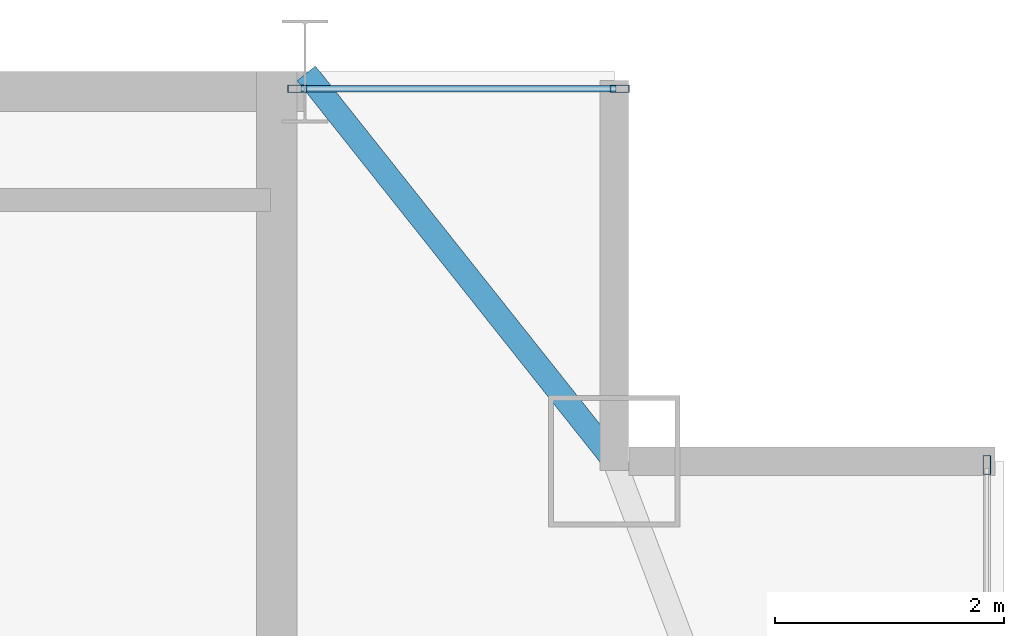
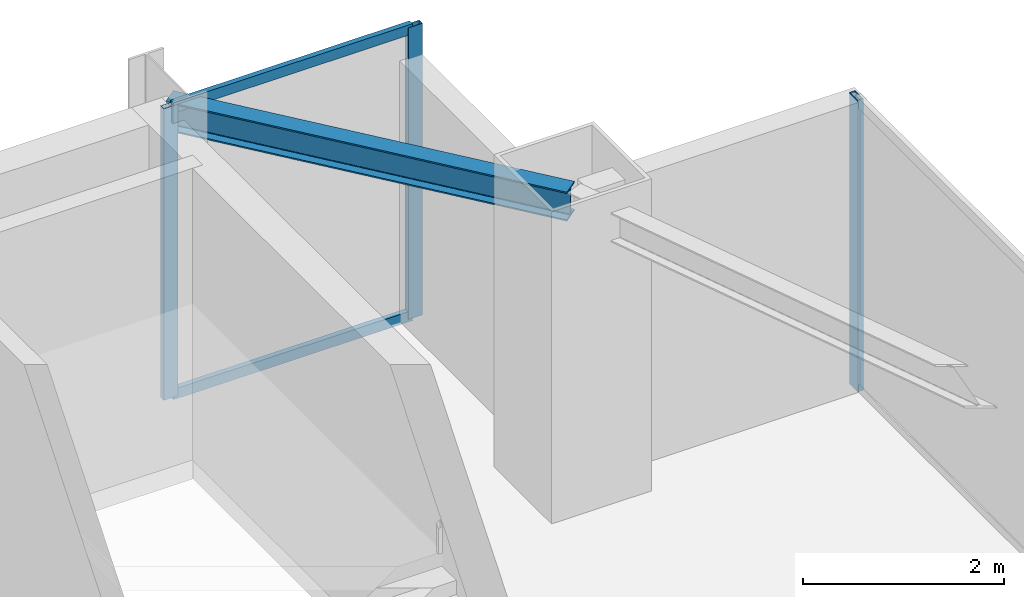
# One storey, part 22 of 30: 5 members, 1 beam, 2 elements without a shape of their own.
"""IFC4 building model written with IfcOpenShell, lengths in metres."""

import ifcopenshell
import ifcopenshell.guid

model = None  # the IFC model being written
_history = None  # IfcOwnerHistory: only IFC2X3 demands one
_inside = {}  # id of a spatial element -> (the spatial element, [elements in it])
_under = {}  # id of a project, library or spatial element -> (it, [spatial elements below it])
_declared = {}  # id of a project -> (the project, [libraries it declares])
_typed = {}  # id of a type object -> (the type object, [elements of that type])
_made_of = {}  # id of a material, layer set ... -> (it, [elements and type objects made of it])


def new_model(schema):
    """Start an empty IFC model of exactly this schema.

    Asked for "IFC4X3", IfcOpenShell would pick the latest addendum, in which some entities
    have other attributes; the version numbers below select the first issue.
    IFC2X3 requires an IfcOwnerHistory on every rooted entity: one is made here for all.
    """
    global model, _history
    if schema == "IFC4X3":
        model = ifcopenshell.file(schema_version=(4, 3, 0, 0))
    else:
        model = ifcopenshell.file(schema=schema)
    _inside.clear()
    _under.clear()
    _declared.clear()
    _typed.clear()
    _made_of.clear()
    _history = None
    if model.schema == "IFC2X3":
        org = make("IfcOrganization", Name="unknown")
        user = make(
            "IfcPersonAndOrganization",
            ThePerson=make("IfcPerson", FamilyName="unknown"),
            TheOrganization=org,
        )
        app = make(
            "IfcApplication",
            ApplicationDeveloper=org,
            Version="unknown",
            ApplicationFullName="unknown",
            ApplicationIdentifier="unknown",
        )
        _history = make(
            "IfcOwnerHistory",
            OwningUser=user,
            OwningApplication=app,
            ChangeAction="ADDED",
            CreationDate=0,
        )
    return model


def make(cls, **values):
    """One entity of the class cls with the attributes given. An attribute that is None is left unset."""
    return model.create_entity(
        cls, **{name: value for name, value in values.items() if value is not None}
    )


def rooted(cls, **values):
    """An entity with a GlobalId (a new one), such as an element, a storey or a relation."""
    return make(cls, GlobalId=ifcopenshell.guid.new(), OwnerHistory=_history, **values)


def si_unit(unit_type, name, prefix=None):
    """IfcSIUnit, for example si_unit("LENGTHUNIT", "METRE", prefix="MILLI")."""
    return make("IfcSIUnit", UnitType=unit_type, Prefix=prefix, Name=name)


def assignment(units):
    """IfcUnitAssignment: the units of a project."""
    return None if units is None else make("IfcUnitAssignment", Units=units)


def point(xyz):
    """IfcCartesianPoint."""
    return None if xyz is None else make("IfcCartesianPoint", Coordinates=xyz)


def direction(xyz):
    """IfcDirection."""
    return None if xyz is None else make("IfcDirection", DirectionRatios=xyz)


def frame(location, z_axis=None, x_axis=None):
    """IfcAxis2Placement3D, a coordinate frame: its origin and axes. An axis left out is left unset."""
    return make(
        "IfcAxis2Placement3D",
        Location=point(location),
        Axis=direction(z_axis),
        RefDirection=direction(x_axis),
    )


def frame_2d(location, x_axis=None):
    """IfcAxis2Placement2D, a coordinate frame in the plane: its origin and x axis."""
    return make(
        "IfcAxis2Placement2D", Location=point(location), RefDirection=direction(x_axis)
    )


def origin():
    """The frame at (0, 0, 0) with its axes left unset."""
    return frame((0.0, 0.0, 0.0))


def origin_2d():
    """The frame at (0, 0) in the plane with its x axis left unset."""
    return frame_2d((0.0, 0.0))


def place(relative_to, where):
    """IfcLocalPlacement: puts the frame where relative to a parent placement (None: the world)."""
    return make(
        "IfcLocalPlacement", PlacementRelTo=relative_to, RelativePlacement=where
    )


def context(
    kind, dimensions, precision=None, world=None, true_north=None, identifier=None
):
    """IfcGeometricRepresentationContext, for example the 3D "Model" context."""
    return make(
        "IfcGeometricRepresentationContext",
        ContextIdentifier=identifier,
        ContextType=kind,
        CoordinateSpaceDimension=dimensions,
        Precision=precision,
        WorldCoordinateSystem=world,
        TrueNorth=true_north,
    )


def subcontext(parent, identifier, kind, view, scale=None):
    """IfcGeometricRepresentationSubContext, for example "Body" below "Model"."""
    return make(
        "IfcGeometricRepresentationSubContext",
        ContextIdentifier=identifier,
        ContextType=kind,
        ParentContext=parent,
        TargetScale=scale,
        TargetView=view,
    )


def project(units=None, contexts=None):
    """IfcProject with its units and contexts."""
    return rooted(
        "IfcProject",
        Name="project",
        RepresentationContexts=contexts,
        UnitsInContext=assignment(units),
    )


def spatial(cls, under=None, at=None, **own):
    """A site, building, storey or space (cls), placed at a placement, below another one or the project."""
    s = rooted(cls, ObjectPlacement=at, **own)
    if under is not None:
        _under.setdefault(under.id(), (under, []))[1].append(s)
    return s


def profile(cls, at=None, kind="AREA", **sizes):
    """A parametric profile (cls). Its sizes go by their IFC names, for example OverallWidth=200.0."""
    return make(cls, ProfileType=kind, Position=at, **sizes)


def hollow_rectangle(**sizes):
    """IfcRectangleHollowProfileDef."""
    return profile("IfcRectangleHollowProfileDef", **sizes)


def i_section(**sizes):
    """IfcIShapeProfileDef."""
    return profile("IfcIShapeProfileDef", **sizes)


def extrude(swept, where, along, depth):
    """IfcExtrudedAreaSolid: the profile swept, set in the frame where, extruded along a direction by depth."""
    return make(
        "IfcExtrudedAreaSolid",
        SweptArea=swept,
        Position=where,
        ExtrudedDirection=direction(along),
        Depth=depth,
    )


def shape(context_of_items, identifier, shape_type, items):
    """IfcShapeRepresentation: the items that make up one representation, for example the "Body"."""
    return make(
        "IfcShapeRepresentation",
        ContextOfItems=context_of_items,
        RepresentationIdentifier=identifier,
        RepresentationType=shape_type,
        Items=items,
    )


def source(mapping_origin, context_of_items, identifier, shape_type, items):
    """IfcRepresentationMap: a shape defined once, which mapped items show again and again."""
    return make(
        "IfcRepresentationMap",
        MappingOrigin=mapping_origin,
        MappedRepresentation=shape(context_of_items, identifier, shape_type, items),
    )


def transform(
    local_origin,
    x_axis=None,
    y_axis=None,
    z_axis=None,
    scale=None,
    scale2=None,
    scale3=None,
    uniform=True,
):
    """IfcCartesianTransformationOperator3D, or its non-uniform kind. x_axis, y_axis, z_axis: its Axis1, 2, 3."""
    if uniform:
        return make(
            "IfcCartesianTransformationOperator3D",
            Axis1=direction(x_axis),
            Axis2=direction(y_axis),
            LocalOrigin=point(local_origin),
            Scale=scale,
            Axis3=direction(z_axis),
        )
    return make(
        "IfcCartesianTransformationOperator3DnonUniform",
        Axis1=direction(x_axis),
        Axis2=direction(y_axis),
        LocalOrigin=point(local_origin),
        Scale=scale,
        Axis3=direction(z_axis),
        Scale2=scale2,
        Scale3=scale3,
    )


def mapped(mapping_source, mapping_target):
    """IfcMappedItem: shows the shape of a source again, moved by a transform."""
    return make(
        "IfcMappedItem", MappingSource=mapping_source, MappingTarget=mapping_target
    )


def material(Name=None, Category=None):
    """IfcMaterial."""
    return make("IfcMaterial", Name=Name, Category=Category)


def layer(
    of_material, thickness, ventilated=None, Name=None, Category=None, Priority=None
):
    """IfcMaterialLayer: one layer of a wall or slab, of a material (None: an air gap)."""
    return make(
        "IfcMaterialLayer",
        Material=of_material,
        LayerThickness=thickness,
        IsVentilated=ventilated,
        Name=Name,
        Category=Category,
        Priority=Priority,
    )


def layer_set(layers, Name=None):
    """IfcMaterialLayerSet."""
    return make("IfcMaterialLayerSet", MaterialLayers=layers, LayerSetName=Name)


def material_profile(
    of_material, cross_section, Name=None, Category=None, Priority=None
):
    """IfcMaterialProfile: a cross section and its material."""
    return make(
        "IfcMaterialProfile",
        Name=Name,
        Material=of_material,
        Profile=cross_section,
        Priority=Priority,
        Category=Category,
    )


def profile_set(profiles, Name=None, composite=None):
    """IfcMaterialProfileSet."""
    return make(
        "IfcMaterialProfileSet",
        Name=Name,
        MaterialProfiles=profiles,
        CompositeProfile=composite,
    )


def made_of(thing, what):
    """Note that an element or type object is made of a material, layer set ...; save() writes the relation."""
    if what is not None:
        _made_of.setdefault(what.id(), (what, []))[1].append(thing)
    return thing


def type_object(cls, material=None, **own):
    """A type object (cls), such as IfcWallType, which elements share."""
    return made_of(rooted(cls, **own), material)


def type_shapes(of_type, sources):
    """Give a type object the sources (RepresentationMaps) that its elements show as mapped items."""
    of_type.RepresentationMaps = sources


def element(
    cls,
    number,
    at=None,
    inside=None,
    cuts=None,
    type_object=None,
    material=None,
    context=None,
    identifier="Body",
    shape_type=None,
    held_by="IfcProductDefinitionShape",
    body=None,
    shapes=None,
    **own,
):
    """One element of the class cls, such as IfcWall. Its Tag is "e" and its number.

    at: its placement. inside: the storey or other place that contains it. cuts: it is an
    opening in that element (IfcRelVoidsElement). A single representation is given by context,
    identifier, shape_type and body (its items); several are given by shapes. held_by: the class
    of the entity that holds the representations. save() writes the other relations.
    """
    e = rooted(cls, Tag="e%d" % number, ObjectPlacement=at, **own)
    if body is not None:
        shapes = [shape(context, identifier, shape_type, body)]
    if shapes is not None:
        e.Representation = make(held_by, Representations=shapes)
    if inside is not None:
        _inside.setdefault(inside.id(), (inside, []))[1].append(e)
    if cuts is not None:
        rooted(
            "IfcRelVoidsElement", RelatingBuildingElement=cuts, RelatedOpeningElement=e
        )
    if type_object is not None:
        _typed.setdefault(type_object.id(), (type_object, []))[1].append(e)
    return made_of(e, material)


def aggregate(whole, parts):
    """IfcRelAggregates: a whole, such as a stair, and the parts it consists of."""
    return rooted("IfcRelAggregates", RelatingObject=whole, RelatedObjects=parts)


def save(model, path):
    """Write the relations noted so far, then the file.

    IfcRelAggregates (storeys below a building ...), IfcRelContainedInSpatialStructure (elements
    in a storey), IfcRelDefinesByType, IfcRelAssociatesMaterial and IfcRelDeclares: one each for
    every whole, place, type object, material and project.
    """
    for whole, parts in _under.values():
        aggregate(whole, parts)
    for where, things in _inside.values():
        rooted(
            "IfcRelContainedInSpatialStructure",
            RelatedElements=things,
            RelatingStructure=where,
        )
    for kind, things in _typed.values():
        rooted("IfcRelDefinesByType", RelatedObjects=things, RelatingType=kind)
    for what, things in _made_of.values():
        rooted("IfcRelAssociatesMaterial", RelatedObjects=things, RelatingMaterial=what)
    for by, libraries in _declared.values():
        rooted("IfcRelDeclares", RelatingContext=by, RelatedDefinitions=libraries)
    model.write(path)


model = new_model("IFC4")

# Units and contexts
model_context = context("Model", 3, precision=1e-05, world=origin(), true_north=direction((0.0, 1.0)))
body_context = subcontext(model_context, "Body", "Model", "MODEL_VIEW")
ifc_project = project(units=[si_unit("LENGTHUNIT", "METRE"), si_unit("AREAUNIT", "SQUARE_METRE"), si_unit("VOLUMEUNIT", "CUBIC_METRE"), si_unit("PLANEANGLEUNIT", "RADIAN"), si_unit("MASSUNIT", "GRAM", prefix="KILO")], contexts=[model_context])

# Site, building, storey
site_placement = place(None, origin())
site = spatial("IfcSite", under=ifc_project, at=site_placement, CompositionType="ELEMENT")
building_placement = place(site_placement, origin())
building = spatial("IfcBuilding", under=site, at=building_placement, Name="Varnel Quay Broadcast Tower", CompositionType="ELEMENT")
storey_placement = place(building_placement, frame((0.0, 0.0, 211.199951171875)))
storey = spatial("IfcBuildingStorey", under=building, at=storey_placement, Name="L52", CompositionType="ELEMENT", Elevation=211.199951171875)

# Beam
ifc_material_1 = material(Name="Structural Steel CSA G40.21 350W", Category="steel")
ifc_material_profile_1 = material_profile(ifc_material_1, i_section(OverallWidth=0.205078125, OverallDepth=0.35400390625, WebThickness=0.009521484375, FlangeThickness=0.016845703125, FilletRadius=0.012939453125, at=origin_2d()), Name="W360X79")
ifc_profile_set_1 = profile_set([ifc_material_profile_1], Name="Structural Steel CSA G40.21 350W")
beam_type = type_object("IfcBeamType", Name="Beam_W360X79", PredefinedType="SPANDREL", material=ifc_profile_set_1)
shared_shape_1 = source(origin(), body_context, "Body", "SweptSolid", [
    extrude(i_section(OverallWidth=0.205078125, OverallDepth=0.35400390625, WebThickness=0.009521484375, FlangeThickness=0.016845703125, FilletRadius=0.012939453125, at=origin_2d()), origin(), (0.0, 0.0, 1.0), 4.301513671875),
])
type_shapes(beam_type, [shared_shape_1])
beam_placement = place(storey_placement, frame((52.412353515625, 46.7841796875, 3.373046875), z_axis=(0.621936399401, -0.783067758946, 0.0), x_axis=(0.783067758946, 0.621936399401, 0.0)))
element("IfcBeam", 1, at=beam_placement, inside=storey, type_object=beam_type, Name="L52 NE Tie Spandrel", PredefinedType="SPANDREL", context=body_context, shape_type="MappedRepresentation", body=[
    mapped(shared_shape_1, transform((0.0, 0.0, 0.0), x_axis=(1.0, 0.0, 0.0), y_axis=(0.0, 1.0, 0.0), z_axis=(0.0, 0.0, 1.0), scale=1.0)),
])

# Curtain wall, member
ifc_material_2 = material(Name="Anodised Bronze Aluminium 6063-T6", Category="aluminium")
ifc_layer = layer(ifc_material_2, 0.18994140625, Name="Anodised Bronze Aluminium 6063-T6")
ifc_layer_set = layer_set([ifc_layer], Name="Anodised Bronze Aluminium 6063-T6")
curtain_wall_type = type_object("IfcCurtainWallType", Name="CW_UpperTower", PredefinedType="NOTDEFINED", material=ifc_layer_set)
curtain_wall_1_placement = place(storey_placement, origin())
curtain_wall_1 = element("IfcCurtainWall", 2, at=curtain_wall_1_placement, inside=storey, type_object=curtain_wall_type, Name="L52 East Unitised Curtain Wall", PredefinedType="NOTDEFINED")
ifc_material_profile_2 = material_profile(ifc_material_2, hollow_rectangle(XDim=0.06494140625, YDim=0.1650390625, WallThickness=0.00341796875, at=origin_2d()), Name="ALU65X165X3.5")
ifc_profile_set_2 = profile_set([ifc_material_profile_2], Name="Anodised Bronze Aluminium 6063-T6")
member_type_1 = type_object("IfcMemberType", Name="Mull_CWS-03", PredefinedType="MULLION", material=ifc_profile_set_2)
shared_shape_2 = source(origin(), body_context, "Body", "SweptSolid", [
    extrude(hollow_rectangle(XDim=0.06494140625, YDim=0.1650390625, WallThickness=0.00341796875, at=origin_2d()), origin(), (0.0, 0.0, 1.0), 3.550048828125),
])
type_shapes(member_type_1, [shared_shape_2])
member_1_placement = place(storey_placement, frame((58.35009765625, 43.367431640625, 0.0), z_axis=(0.0, 0.0, 1.0), x_axis=(-1.0, 0.0, 0.0)))
member_1 = element("IfcMember", 3, at=member_1_placement, type_object=member_type_1, Name="CWS-03 mullion 3", PredefinedType="MULLION", context=body_context, shape_type="MappedRepresentation", body=[
    mapped(shared_shape_2, transform((0.0, 0.0, 0.0), x_axis=(1.0, 0.0, 0.0), y_axis=(0.0, 1.0, 0.0), z_axis=(0.0, 0.0, 1.0), scale=1.0)),
])
aggregate(curtain_wall_1, [member_1])

# Curtain wall, members
curtain_wall_2_placement = place(storey_placement, origin())
curtain_wall_2 = element("IfcCurtainWall", 4, at=curtain_wall_2_placement, inside=storey, type_object=curtain_wall_type, Name="L52 NE Wing Curtain Wall", PredefinedType="NOTDEFINED")
member_2_placement = place(storey_placement, frame((52.33251953125, 46.64990234375, 0.0), z_axis=(0.0, 0.0, 1.0), x_axis=(0.0, 1.0, 0.0)))
member_2 = element("IfcMember", 5, at=member_2_placement, type_object=member_type_1, Name="CWS-03 mullion 1", PredefinedType="MULLION", context=body_context, shape_type="MappedRepresentation", body=[
    mapped(shared_shape_2, transform((0.0, 0.0, 0.0), x_axis=(1.0, 0.0, 0.0), y_axis=(0.0, 1.0, 0.0), z_axis=(0.0, 0.0, 1.0), scale=1.0)),
])
member_3_placement = place(storey_placement, frame((55.1474609375, 46.64990234375, 0.0), z_axis=(0.0, 0.0, 1.0), x_axis=(0.0, 1.0, 0.0)))
member_3 = element("IfcMember", 6, at=member_3_placement, type_object=member_type_1, Name="CWS-03 mullion 2", PredefinedType="MULLION", context=body_context, shape_type="MappedRepresentation", body=[
    mapped(shared_shape_2, transform((0.0, 0.0, 0.0), x_axis=(1.0, 0.0, 0.0), y_axis=(0.0, 1.0, 0.0), z_axis=(0.0, 0.0, 1.0), scale=1.0)),
])
ifc_material_profile_3 = material_profile(ifc_material_2, hollow_rectangle(XDim=0.06005859375, YDim=0.125, WallThickness=0.0029296875, at=origin_2d()), Name="ALU60X125X3")
ifc_profile_set_3 = profile_set([ifc_material_profile_3], Name="Anodised Bronze Aluminium 6063-T6")
member_type_2 = type_object("IfcMemberType", Name="Tran_CWS-03", PredefinedType="USERDEFINED", material=ifc_profile_set_3)
shared_shape_3 = source(origin(), body_context, "Body", "SweptSolid", [
    extrude(hollow_rectangle(XDim=0.06005859375, YDim=0.125, WallThickness=0.0029296875, at=origin_2d()), origin(), (0.0, 0.0, 1.0), 2.75),
])
type_shapes(member_type_2, [shared_shape_3])
member_4_placement = place(storey_placement, frame((52.364990234375, 46.64990234375, 0.030029296875), z_axis=(1.0, 0.0, 0.0), x_axis=(0.0, 1.0, 0.0)))
member_4 = element("IfcMember", 7, at=member_4_placement, type_object=member_type_2, Name="CWS-03 transom 1.1", ObjectType="TRANSOM", PredefinedType="USERDEFINED", context=body_context, shape_type="MappedRepresentation", body=[
    mapped(shared_shape_3, transform((0.0, 0.0, 0.0), x_axis=(1.0, 0.0, 0.0), y_axis=(0.0, 1.0, 0.0), z_axis=(0.0, 0.0, 1.0), scale=1.0)),
])
member_5_placement = place(storey_placement, frame((52.364990234375, 46.64990234375, 3.52001953125), z_axis=(1.0, 0.0, 0.0), x_axis=(0.0, 1.0, 0.0)))
member_5 = element("IfcMember", 8, at=member_5_placement, type_object=member_type_2, Name="CWS-03 transom 1.2", ObjectType="TRANSOM", PredefinedType="USERDEFINED", context=body_context, shape_type="MappedRepresentation", body=[
    mapped(shared_shape_3, transform((0.0, 0.0, 0.0), x_axis=(1.0, 0.0, 0.0), y_axis=(0.0, 1.0, 0.0), z_axis=(0.0, 0.0, 1.0), scale=1.0)),
])
aggregate(curtain_wall_2, [member_2, member_3, member_4, member_5])

save(model, "model.ifc")
